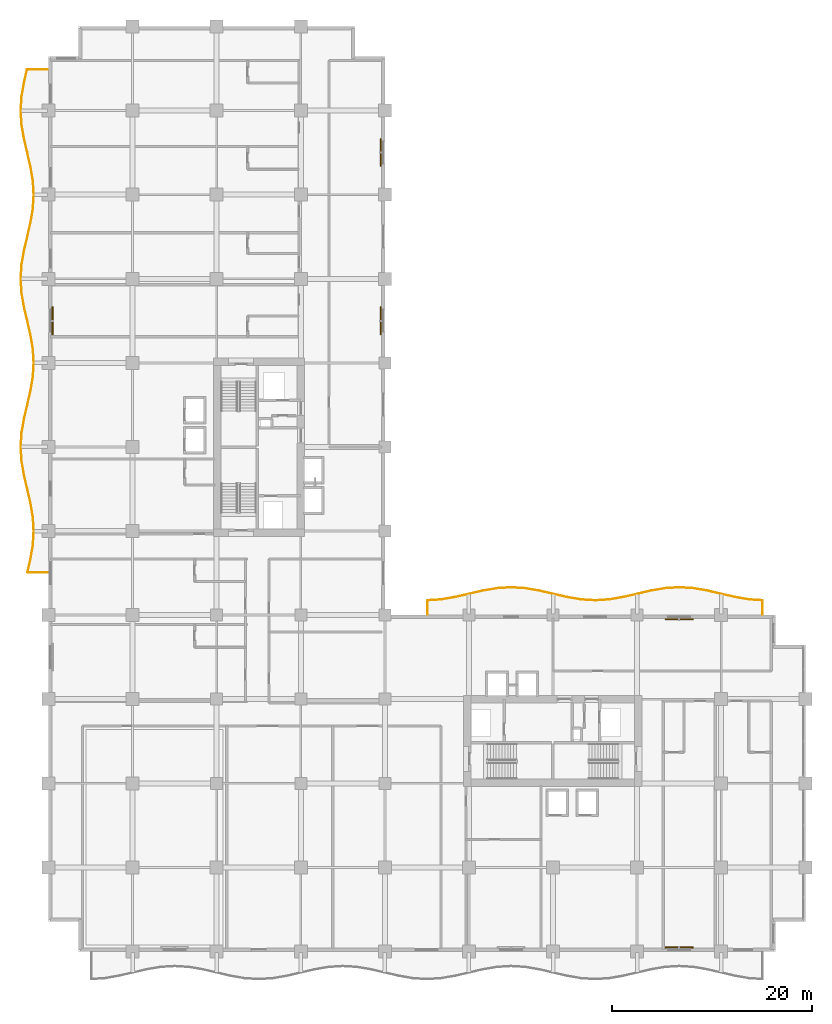
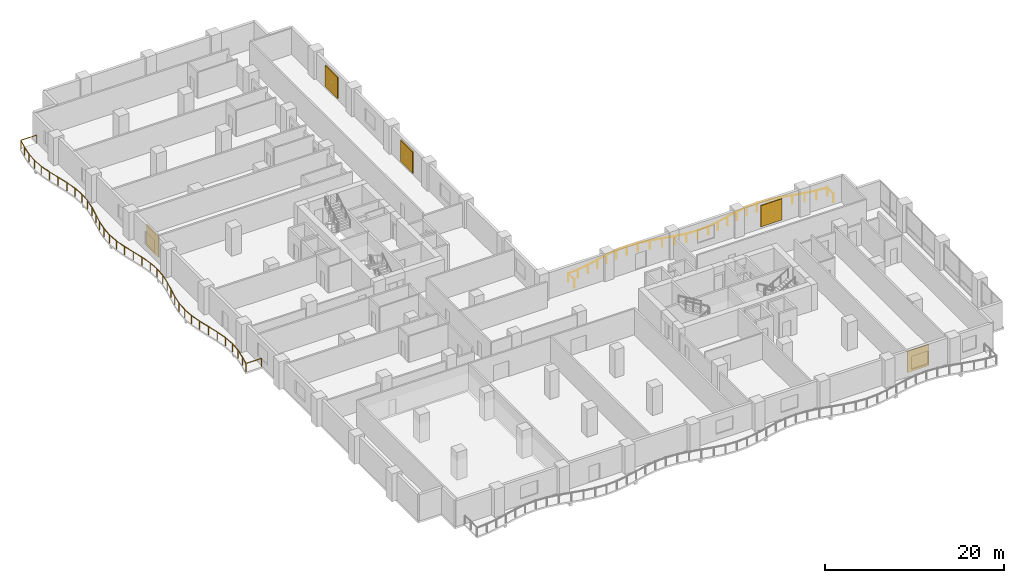
# One storey, part 24 of 24: 5 shading devices, 2 railings.
"""IFC4 building model written with IfcOpenShell, lengths in metres."""

from ifc_helpers import new_model, si_unit, direction, frame, origin, origin_2d, place, context, subcontext, project, spatial, rectangle, circle, extrude, material, layer, layer_set, type_object, element, save


model = new_model("IFC4")

# Units and contexts
model_context = context("Model", 3, precision=1e-05, world=origin(), true_north=direction((0.0, 1.0)))
body_context = subcontext(model_context, "Body", "Model", "MODEL_VIEW")
ifc_project = project(units=[si_unit("LENGTHUNIT", "METRE"), si_unit("AREAUNIT", "SQUARE_METRE"), si_unit("VOLUMEUNIT", "CUBIC_METRE"), si_unit("PLANEANGLEUNIT", "RADIAN"), si_unit("MASSUNIT", "GRAM", prefix="KILO")], contexts=[model_context])

# Site, building, storey
site_placement = place(None, origin())
site = spatial("IfcSite", under=ifc_project, at=site_placement, CompositionType="ELEMENT")
building_placement = place(site_placement, origin())
building = spatial("IfcBuilding", under=site, at=building_placement, Name="Koriwani Terraces Tower", CompositionType="ELEMENT")
storey_placement = place(building_placement, frame((0.0, 0.0, 149.39990234375)))
storey = spatial("IfcBuildingStorey", under=building, at=storey_placement, Name="L36", CompositionType="ELEMENT", Elevation=149.39990234375)

# Railings
ifc_material_1 = material(Name="Steel ASTM A572 Grade 50", Category="steel")
railing_type = type_object("IfcRailingType", Name="GUARD_BALUSTRADE_1150", PredefinedType="BALUSTRADE", material=ifc_material_1)
railing_1_placement = place(storey_placement, frame((-0.080078125, 37.8798828125, 0.0)))
element("IfcRailing", 1, at=railing_1_placement, inside=storey, type_object=railing_type, Name="L36 Balcony Perimeter Safety Balustrade (W)", PredefinedType="BALUSTRADE", context=body_context, shape_type="SweptSolid", body=[
    extrude(circle(Radius=0.02392578125, at=origin_2d()), frame((0.0, 0.0, 1.1259765625), z_axis=(-1.0, 0.0, 0.0), x_axis=(0.0, -1.0, 0.0)), (0.0, 0.0, 1.0), 2.019287109375),
    extrude(circle(Radius=0.02392578125, at=origin_2d()), frame((-2.019287109375, 0.0, 1.1259765625), z_axis=(0.226071012836, 0.974110823857, 0.0), x_axis=(-0.974110823857, 0.226071012836, 0.0)), (0.0, 0.0, 1.0), 1.339111328125),
    extrude(circle(Radius=0.02392578125, at=origin_2d()), frame((-1.716552734375, 1.304443359375, 1.1259765625), z_axis=(0.167533954852, 0.985866306337, 0.0), x_axis=(-0.985866306337, 0.167533954852, 0.0)), (0.0, 0.0, 1.0), 1.4267578125),
    extrude(circle(Radius=0.02392578125, at=origin_2d()), frame((-1.4775390625, 2.7109375, 1.1259765625), z_axis=(0.061904605217, 0.9980820707, 0.0), x_axis=(-0.9980820707, 0.061904605217, 0.0)), (0.0, 0.0, 1.0), 1.411865234375),
    extrude(circle(Radius=0.02392578125, at=origin_2d()), frame((-1.39013671875, 4.1201171875, 1.1259765625), z_axis=(-0.061904605217, 0.9980820707, 0.0), x_axis=(-0.9980820707, -0.061904605217, 0.0)), (0.0, 0.0, 1.0), 1.411865234375),
    extrude(circle(Radius=0.02392578125, at=origin_2d()), frame((-1.4775390625, 5.529296875, 1.1259765625), z_axis=(-0.167533954852, 0.985866306337, 0.0), x_axis=(-0.985866306337, -0.167533954852, 0.0)), (0.0, 0.0, 1.0), 1.4267578125),
    extrude(circle(Radius=0.02392578125, at=origin_2d()), frame((-1.716552734375, 6.935791015625, 1.1259765625), z_axis=(-0.226093729043, 0.974105551615, 0.0), x_axis=(-0.974105551615, -0.226093729043, 0.0)), (0.0, 0.0, 1.0), 2.87451171875),
    extrude(circle(Radius=0.02392578125, at=origin_2d()), frame((-2.366455078125, 9.73583984375, 1.1259765625), z_axis=(-0.167535062128, 0.985866118171, 0.0), x_axis=(-0.985866118171, -0.167535062128, 0.0)), (0.0, 0.0, 1.0), 1.41357421875),
    extrude(circle(Radius=0.02392578125, at=origin_2d()), frame((-2.603271484375, 11.12939453125, 1.1259765625), z_axis=(-0.062029198499, 0.998074335174, 0.0), x_axis=(-0.998074335174, -0.062029198499, 0.0)), (0.0, 0.0, 1.0), 1.393310546875),
    extrude(circle(Radius=0.02392578125, at=origin_2d()), frame((-2.689697265625, 12.52001953125, 1.1259765625), z_axis=(0.062018352335, 0.998075009192, 0.0), x_axis=(-0.998075009192, 0.062018352335, 0.0)), (0.0, 0.0, 1.0), 1.3935546875),
    extrude(circle(Radius=0.02392578125, at=origin_2d()), frame((-2.603271484375, 13.910888671875, 1.1259765625), z_axis=(0.167563594016, 0.985861269125, 0.0), x_axis=(-0.985861269125, 0.167563594016, 0.0)), (0.0, 0.0, 1.0), 1.413330078125),
    extrude(circle(Radius=0.02392578125, at=origin_2d()), frame((-2.366455078125, 15.30419921875, 1.1259765625), z_axis=(0.226075024805, 0.974109892753, 0.0), x_axis=(-0.974109892753, 0.226075024805, 0.0)), (0.0, 0.0, 1.0), 2.874755859375),
    extrude(circle(Radius=0.02392578125, at=origin_2d()), frame((-1.716552734375, 18.1044921875, 1.1259765625), z_axis=(0.167533954852, 0.985866306337, 0.0), x_axis=(-0.985866306337, 0.167533954852, 0.0)), (0.0, 0.0, 1.0), 1.4267578125),
    extrude(circle(Radius=0.02392578125, at=origin_2d()), frame((-1.4775390625, 19.510986328125, 1.1259765625), z_axis=(0.061904605217, 0.9980820707, 0.0), x_axis=(-0.9980820707, 0.061904605217, 0.0)), (0.0, 0.0, 1.0), 1.411865234375),
    extrude(circle(Radius=0.02392578125, at=origin_2d()), frame((-1.39013671875, 20.920166015625, 1.1259765625), z_axis=(-0.061904605217, 0.9980820707, 0.0), x_axis=(-0.9980820707, -0.061904605217, 0.0)), (0.0, 0.0, 1.0), 1.411865234375),
    extrude(circle(Radius=0.02392578125, at=origin_2d()), frame((-1.4775390625, 22.329345703125, 1.1259765625), z_axis=(-0.167533954852, 0.985866306337, 0.0), x_axis=(-0.985866306337, -0.167533954852, 0.0)), (0.0, 0.0, 1.0), 1.4267578125),
    extrude(circle(Radius=0.02392578125, at=origin_2d()), frame((-1.716552734375, 23.73583984375, 1.1259765625), z_axis=(-0.226093729043, 0.974105551615, 0.0), x_axis=(-0.974105551615, -0.226093729043, 0.0)), (0.0, 0.0, 1.0), 2.87451171875),
    extrude(circle(Radius=0.02392578125, at=origin_2d()), frame((-2.366455078125, 26.535888671875, 1.1259765625), z_axis=(-0.167563594016, 0.985861269125, 0.0), x_axis=(-0.985861269125, -0.167563594016, 0.0)), (0.0, 0.0, 1.0), 1.413330078125),
    extrude(circle(Radius=0.02392578125, at=origin_2d()), frame((-2.603271484375, 27.92919921875, 1.1259765625), z_axis=(-0.062018352335, 0.998075009192, 0.0), x_axis=(-0.998075009192, -0.062018352335, 0.0)), (0.0, 0.0, 1.0), 1.3935546875),
    extrude(circle(Radius=0.02392578125, at=origin_2d()), frame((-2.689697265625, 29.320068359375, 1.1259765625), z_axis=(0.062018352335, 0.998075009192, 0.0), x_axis=(-0.998075009192, 0.062018352335, 0.0)), (0.0, 0.0, 1.0), 1.3935546875),
    extrude(circle(Radius=0.02392578125, at=origin_2d()), frame((-2.603271484375, 30.7109375, 1.1259765625), z_axis=(0.167563594016, 0.985861269125, 0.0), x_axis=(-0.985861269125, 0.167563594016, 0.0)), (0.0, 0.0, 1.0), 1.413330078125),
    extrude(circle(Radius=0.02392578125, at=origin_2d()), frame((-2.366455078125, 32.104248046875, 1.1259765625), z_axis=(0.226093729043, 0.974105551615, 0.0), x_axis=(-0.974105551615, 0.226093729043, 0.0)), (0.0, 0.0, 1.0), 2.87451171875),
    extrude(circle(Radius=0.02392578125, at=origin_2d()), frame((-1.716552734375, 34.904296875, 1.1259765625), z_axis=(0.16750569507, 0.985871108269, 0.0), x_axis=(-0.985871108269, 0.16750569507, 0.0)), (0.0, 0.0, 1.0), 1.427001953125),
    extrude(circle(Radius=0.02392578125, at=origin_2d()), frame((-1.4775390625, 36.31103515625, 1.1259765625), z_axis=(0.061904605217, 0.9980820707, 0.0), x_axis=(-0.9980820707, 0.061904605217, 0.0)), (0.0, 0.0, 1.0), 1.411865234375),
    extrude(circle(Radius=0.02392578125, at=origin_2d()), frame((-1.39013671875, 37.72021484375, 1.1259765625), z_axis=(-0.061904605217, 0.9980820707, 0.0), x_axis=(-0.9980820707, -0.061904605217, 0.0)), (0.0, 0.0, 1.0), 1.411865234375),
    extrude(circle(Radius=0.02392578125, at=origin_2d()), frame((-1.4775390625, 39.12939453125, 1.1259765625), z_axis=(-0.167533954852, 0.985866306337, 0.0), x_axis=(-0.985866306337, -0.167533954852, 0.0)), (0.0, 0.0, 1.0), 1.4267578125),
    extrude(circle(Radius=0.02392578125, at=origin_2d()), frame((-1.716552734375, 40.535888671875, 1.1259765625), z_axis=(-0.226093729043, 0.974105551615, 0.0), x_axis=(-0.974105551615, -0.226093729043, 0.0)), (0.0, 0.0, 1.0), 2.87451171875),
    extrude(circle(Radius=0.02392578125, at=origin_2d()), frame((-2.366455078125, 43.3359375, 1.1259765625), z_axis=(-0.167563594016, 0.985861269125, 0.0), x_axis=(-0.985861269125, -0.167563594016, 0.0)), (0.0, 0.0, 1.0), 1.413330078125),
    extrude(circle(Radius=0.02392578125, at=origin_2d()), frame((-2.603271484375, 44.729248046875, 1.1259765625), z_axis=(-0.062018352335, 0.998075009192, 0.0), x_axis=(-0.998075009192, -0.062018352335, 0.0)), (0.0, 0.0, 1.0), 1.3935546875),
    extrude(circle(Radius=0.02392578125, at=origin_2d()), frame((-2.689697265625, 46.1201171875, 1.1259765625), z_axis=(0.062018352335, 0.998075009192, 0.0), x_axis=(-0.998075009192, 0.062018352335, 0.0)), (0.0, 0.0, 1.0), 1.3935546875),
    extrude(circle(Radius=0.02392578125, at=origin_2d()), frame((-2.603271484375, 47.510986328125, 1.1259765625), z_axis=(0.167563594016, 0.985861269125, 0.0), x_axis=(-0.985861269125, 0.167563594016, 0.0)), (0.0, 0.0, 1.0), 1.413330078125),
    extrude(circle(Radius=0.02392578125, at=origin_2d()), frame((-2.366455078125, 48.904296875, 1.1259765625), z_axis=(0.226081445763, 0.974108402531, 0.0), x_axis=(-0.974108402531, 0.226081445763, 0.0)), (0.0, 0.0, 1.0), 1.371337890625),
    extrude(circle(Radius=0.02392578125, at=origin_2d()), frame((-2.056396484375, 50.240234375, 1.1259765625), z_axis=(1.0, 0.0, 0.0), x_axis=(0.0, 1.0, 0.0)), (0.0, 0.0, 1.0), 2.056396484375),
    extrude(circle(Radius=0.02099609375, at=origin_2d()), origin(), (0.0, 0.0, 1.0), 1.101806640625),
    extrude(circle(Radius=0.02099609375, at=origin_2d()), frame((-2.019287109375, 0.0, 0.0)), (0.0, 0.0, 1.0), 1.101806640625),
    extrude(circle(Radius=0.02099609375, at=origin_2d()), frame((-1.716552734375, 1.304443359375, 0.0)), (0.0, 0.0, 1.0), 1.101806640625),
    extrude(circle(Radius=0.02099609375, at=origin_2d()), frame((-1.4775390625, 2.7109375, 0.0)), (0.0, 0.0, 1.0), 1.101806640625),
    extrude(circle(Radius=0.02099609375, at=origin_2d()), frame((-1.39013671875, 4.1201171875, 0.0)), (0.0, 0.0, 1.0), 1.101806640625),
    extrude(circle(Radius=0.02099609375, at=origin_2d()), frame((-1.4775390625, 5.529296875, 0.0)), (0.0, 0.0, 1.0), 1.101806640625),
    extrude(circle(Radius=0.02099609375, at=origin_2d()), frame((-1.716552734375, 6.935791015625, 0.0)), (0.0, 0.0, 1.0), 1.101806640625),
    extrude(circle(Radius=0.02099609375, at=origin_2d()), frame((-2.04150390625, 8.3359375, 0.0)), (0.0, 0.0, 1.0), 1.101806640625),
    extrude(circle(Radius=0.02099609375, at=origin_2d()), frame((-2.366455078125, 9.73583984375, 0.0)), (0.0, 0.0, 1.0), 1.101806640625),
    extrude(circle(Radius=0.02099609375, at=origin_2d()), frame((-2.603271484375, 11.12939453125, 0.0)), (0.0, 0.0, 1.0), 1.101806640625),
    extrude(circle(Radius=0.02099609375, at=origin_2d()), frame((-2.689697265625, 12.52001953125, 0.0)), (0.0, 0.0, 1.0), 1.101806640625),
    extrude(circle(Radius=0.02099609375, at=origin_2d()), frame((-2.603271484375, 13.910888671875, 0.0)), (0.0, 0.0, 1.0), 1.101806640625),
    extrude(circle(Radius=0.02099609375, at=origin_2d()), frame((-2.366455078125, 15.30419921875, 0.0)), (0.0, 0.0, 1.0), 1.101806640625),
    extrude(circle(Radius=0.02099609375, at=origin_2d()), frame((-2.04150390625, 16.704345703125, 0.0)), (0.0, 0.0, 1.0), 1.101806640625),
    extrude(circle(Radius=0.02099609375, at=origin_2d()), frame((-1.716552734375, 18.1044921875, 0.0)), (0.0, 0.0, 1.0), 1.101806640625),
    extrude(circle(Radius=0.02099609375, at=origin_2d()), frame((-1.4775390625, 19.510986328125, 0.0)), (0.0, 0.0, 1.0), 1.101806640625),
    extrude(circle(Radius=0.02099609375, at=origin_2d()), frame((-1.39013671875, 20.920166015625, 0.0)), (0.0, 0.0, 1.0), 1.101806640625),
    extrude(circle(Radius=0.02099609375, at=origin_2d()), frame((-1.4775390625, 22.329345703125, 0.0)), (0.0, 0.0, 1.0), 1.101806640625),
    extrude(circle(Radius=0.02099609375, at=origin_2d()), frame((-1.716552734375, 23.73583984375, 0.0)), (0.0, 0.0, 1.0), 1.101806640625),
    extrude(circle(Radius=0.02099609375, at=origin_2d()), frame((-2.04150390625, 25.1357421875, 0.0)), (0.0, 0.0, 1.0), 1.101806640625),
    extrude(circle(Radius=0.02099609375, at=origin_2d()), frame((-2.366455078125, 26.535888671875, 0.0)), (0.0, 0.0, 1.0), 1.101806640625),
    extrude(circle(Radius=0.02099609375, at=origin_2d()), frame((-2.603271484375, 27.92919921875, 0.0)), (0.0, 0.0, 1.0), 1.101806640625),
    extrude(circle(Radius=0.02099609375, at=origin_2d()), frame((-2.689697265625, 29.320068359375, 0.0)), (0.0, 0.0, 1.0), 1.101806640625),
    extrude(circle(Radius=0.02099609375, at=origin_2d()), frame((-2.603271484375, 30.7109375, 0.0)), (0.0, 0.0, 1.0), 1.101806640625),
    extrude(circle(Radius=0.02099609375, at=origin_2d()), frame((-2.366455078125, 32.104248046875, 0.0)), (0.0, 0.0, 1.0), 1.101806640625),
    extrude(circle(Radius=0.02099609375, at=origin_2d()), frame((-2.04150390625, 33.50439453125, 0.0)), (0.0, 0.0, 1.0), 1.101806640625),
    extrude(circle(Radius=0.02099609375, at=origin_2d()), frame((-1.716552734375, 34.904296875, 0.0)), (0.0, 0.0, 1.0), 1.101806640625),
    extrude(circle(Radius=0.02099609375, at=origin_2d()), frame((-1.4775390625, 36.31103515625, 0.0)), (0.0, 0.0, 1.0), 1.101806640625),
    extrude(circle(Radius=0.02099609375, at=origin_2d()), frame((-1.39013671875, 37.72021484375, 0.0)), (0.0, 0.0, 1.0), 1.101806640625),
    extrude(circle(Radius=0.02099609375, at=origin_2d()), frame((-1.4775390625, 39.12939453125, 0.0)), (0.0, 0.0, 1.0), 1.101806640625),
    extrude(circle(Radius=0.02099609375, at=origin_2d()), frame((-1.716552734375, 40.535888671875, 0.0)), (0.0, 0.0, 1.0), 1.101806640625),
    extrude(circle(Radius=0.02099609375, at=origin_2d()), frame((-2.04150390625, 41.93603515625, 0.0)), (0.0, 0.0, 1.0), 1.101806640625),
    extrude(circle(Radius=0.02099609375, at=origin_2d()), frame((-2.366455078125, 43.3359375, 0.0)), (0.0, 0.0, 1.0), 1.101806640625),
    extrude(circle(Radius=0.02099609375, at=origin_2d()), frame((-2.603271484375, 44.729248046875, 0.0)), (0.0, 0.0, 1.0), 1.101806640625),
    extrude(circle(Radius=0.02099609375, at=origin_2d()), frame((-2.689697265625, 46.1201171875, 0.0)), (0.0, 0.0, 1.0), 1.101806640625),
    extrude(circle(Radius=0.02099609375, at=origin_2d()), frame((-2.603271484375, 47.510986328125, 0.0)), (0.0, 0.0, 1.0), 1.101806640625),
    extrude(circle(Radius=0.02099609375, at=origin_2d()), frame((-2.366455078125, 48.904296875, 0.0)), (0.0, 0.0, 1.0), 1.101806640625),
    extrude(circle(Radius=0.02099609375, at=origin_2d()), frame((-2.056396484375, 50.240234375, 0.0)), (0.0, 0.0, 1.0), 1.101806640625),
    extrude(circle(Radius=0.02099609375, at=origin_2d()), frame((0.0, 50.240234375, 0.0)), (0.0, 0.0, 1.0), 1.101806640625),
])
railing_2_placement = place(storey_placement, frame((71.320068359375, 33.679931640625, 0.0)))
element("IfcRailing", 2, at=railing_2_placement, inside=storey, type_object=railing_type, Name="L36 Balcony Perimeter Safety Balustrade (NE)", PredefinedType="BALUSTRADE", context=body_context, shape_type="SweptSolid", body=[
    extrude(circle(Radius=0.02392578125, at=origin_2d()), frame((0.0, 0.0, 1.1259765625), z_axis=(0.0, 1.0, 0.0), x_axis=(-1.0, 0.0, 0.0)), (0.0, 0.0, 1.0), 1.394775390625),
    extrude(circle(Radius=0.02392578125, at=origin_2d()), frame((0.0, 1.394775390625, 1.1259765625), z_axis=(-0.998056142956, 0.062321228394, 0.0), x_axis=(-0.062321228394, -0.998056142956, 0.0)), (0.0, 0.0, 1.0), 1.33203125),
    extrude(circle(Radius=0.02392578125, at=origin_2d()), frame((-1.329345703125, 1.477783203125, 1.1259765625), z_axis=(-0.985894557597, 0.167367623213, 0.0), x_axis=(-0.167367623213, -0.985894557597, 0.0)), (0.0, 0.0, 1.0), 1.426513671875),
    extrude(circle(Radius=0.02392578125, at=origin_2d()), frame((-2.73583984375, 1.716552734375, 1.1259765625), z_axis=(-0.974105551615, 0.226093729043, 0.0), x_axis=(-0.226093729043, -0.974105551615, 0.0)), (0.0, 0.0, 1.0), 2.87451171875),
    extrude(circle(Radius=0.02392578125, at=origin_2d()), frame((-5.535888671875, 2.366455078125, 1.1259765625), z_axis=(-0.985861269125, 0.167563594016, 0.0), x_axis=(-0.167563594016, -0.985861269125, 0.0)), (0.0, 0.0, 1.0), 1.413330078125),
    extrude(circle(Radius=0.02392578125, at=origin_2d()), frame((-6.92919921875, 2.603271484375, 1.1259765625), z_axis=(-0.998064149781, 0.062192868733, 0.0), x_axis=(-0.062192868733, -0.998064149781, 0.0)), (0.0, 0.0, 1.0), 1.3935546875),
    extrude(circle(Radius=0.02392578125, at=origin_2d()), frame((-8.320068359375, 2.68994140625, 1.1259765625), z_axis=(-0.998064149781, -0.062192868733, 0.0), x_axis=(0.062192868733, -0.998064149781, 0.0)), (0.0, 0.0, 1.0), 1.3935546875),
    extrude(circle(Radius=0.02392578125, at=origin_2d()), frame((-9.7109375, 2.603271484375, 1.1259765625), z_axis=(-0.985861269125, -0.167563594016, 0.0), x_axis=(0.167563594016, -0.985861269125, 0.0)), (0.0, 0.0, 1.0), 1.413330078125),
    extrude(circle(Radius=0.02392578125, at=origin_2d()), frame((-11.104248046875, 2.366455078125, 1.1259765625), z_axis=(-0.974105551615, -0.226093729043, 0.0), x_axis=(0.226093729043, -0.974105551615, 0.0)), (0.0, 0.0, 1.0), 2.87451171875),
    extrude(circle(Radius=0.02392578125, at=origin_2d()), frame((-13.904296875, 1.716552734375, 1.1259765625), z_axis=(-0.985894557597, -0.167367623213, 0.0), x_axis=(0.167367623213, -0.985894557597, 0.0)), (0.0, 0.0, 1.0), 1.426513671875),
    extrude(circle(Radius=0.02392578125, at=origin_2d()), frame((-15.310791015625, 1.477783203125, 1.1259765625), z_axis=(-0.9980820707, -0.061904605217, 0.0), x_axis=(0.061904605217, -0.9980820707, 0.0)), (0.0, 0.0, 1.0), 1.411865234375),
    extrude(circle(Radius=0.02392578125, at=origin_2d()), frame((-16.719970703125, 1.390380859375, 1.1259765625), z_axis=(-0.9980820707, 0.061904605217, 0.0), x_axis=(-0.061904605217, -0.9980820707, 0.0)), (0.0, 0.0, 1.0), 1.411865234375),
    extrude(circle(Radius=0.02392578125, at=origin_2d()), frame((-18.129150390625, 1.477783203125, 1.1259765625), z_axis=(-0.985899350136, 0.16733938987, 0.0), x_axis=(-0.16733938987, -0.985899350136, 0.0)), (0.0, 0.0, 1.0), 1.4267578125),
    extrude(circle(Radius=0.02392578125, at=origin_2d()), frame((-19.535888671875, 1.716552734375, 1.1259765625), z_axis=(-0.974105551615, 0.226093729043, 0.0), x_axis=(-0.226093729043, -0.974105551615, 0.0)), (0.0, 0.0, 1.0), 2.87451171875),
    extrude(circle(Radius=0.02392578125, at=origin_2d()), frame((-22.3359375, 2.366455078125, 1.1259765625), z_axis=(-0.985861269125, 0.167563594016, 0.0), x_axis=(-0.167563594016, -0.985861269125, 0.0)), (0.0, 0.0, 1.0), 1.413330078125),
    extrude(circle(Radius=0.02392578125, at=origin_2d()), frame((-23.729248046875, 2.603271484375, 1.1259765625), z_axis=(-0.998064149781, 0.062192868733, 0.0), x_axis=(-0.062192868733, -0.998064149781, 0.0)), (0.0, 0.0, 1.0), 1.3935546875),
    extrude(circle(Radius=0.02392578125, at=origin_2d()), frame((-25.1201171875, 2.68994140625, 1.1259765625), z_axis=(-0.998064149781, -0.062192868733, 0.0), x_axis=(0.062192868733, -0.998064149781, 0.0)), (0.0, 0.0, 1.0), 1.3935546875),
    extrude(circle(Radius=0.02392578125, at=origin_2d()), frame((-26.510986328125, 2.603271484375, 1.1259765625), z_axis=(-0.985861269125, -0.167563594016, 0.0), x_axis=(0.167563594016, -0.985861269125, 0.0)), (0.0, 0.0, 1.0), 1.413330078125),
    extrude(circle(Radius=0.02392578125, at=origin_2d()), frame((-27.904296875, 2.366455078125, 1.1259765625), z_axis=(-0.974105551615, -0.226093729043, 0.0), x_axis=(0.226093729043, -0.974105551615, 0.0)), (0.0, 0.0, 1.0), 2.87451171875),
    extrude(circle(Radius=0.02392578125, at=origin_2d()), frame((-30.704345703125, 1.716552734375, 1.1259765625), z_axis=(-0.985894557597, -0.167367623213, 0.0), x_axis=(0.167367623213, -0.985894557597, 0.0)), (0.0, 0.0, 1.0), 1.426513671875),
    extrude(circle(Radius=0.02392578125, at=origin_2d()), frame((-32.11083984375, 1.477783203125, 1.1259765625), z_axis=(-0.998056142956, -0.062321228394, 0.0), x_axis=(0.062321228394, -0.998056142956, 0.0)), (0.0, 0.0, 1.0), 1.33203125),
    extrude(circle(Radius=0.02392578125, at=origin_2d()), frame((-33.440185546875, 1.394775390625, 1.1259765625), z_axis=(0.0, -1.0, 0.0), x_axis=(1.0, 0.0, 0.0)), (0.0, 0.0, 1.0), 1.394775390625),
    extrude(circle(Radius=0.02099609375, at=origin_2d()), origin(), (0.0, 0.0, 1.0), 1.101806640625),
    extrude(circle(Radius=0.02099609375, at=origin_2d()), frame((0.0, 1.394775390625, 0.0)), (0.0, 0.0, 1.0), 1.101806640625),
    extrude(circle(Radius=0.02099609375, at=origin_2d()), frame((-1.329345703125, 1.477783203125, 0.0)), (0.0, 0.0, 1.0), 1.101806640625),
    extrude(circle(Radius=0.02099609375, at=origin_2d()), frame((-2.73583984375, 1.716552734375, 0.0)), (0.0, 0.0, 1.0), 1.101806640625),
    extrude(circle(Radius=0.02099609375, at=origin_2d()), frame((-4.1357421875, 2.04150390625, 0.0)), (0.0, 0.0, 1.0), 1.101806640625),
    extrude(circle(Radius=0.02099609375, at=origin_2d()), frame((-5.535888671875, 2.366455078125, 0.0)), (0.0, 0.0, 1.0), 1.101806640625),
    extrude(circle(Radius=0.02099609375, at=origin_2d()), frame((-6.92919921875, 2.603271484375, 0.0)), (0.0, 0.0, 1.0), 1.101806640625),
    extrude(circle(Radius=0.02099609375, at=origin_2d()), frame((-8.320068359375, 2.68994140625, 0.0)), (0.0, 0.0, 1.0), 1.101806640625),
    extrude(circle(Radius=0.02099609375, at=origin_2d()), frame((-9.7109375, 2.603271484375, 0.0)), (0.0, 0.0, 1.0), 1.101806640625),
    extrude(circle(Radius=0.02099609375, at=origin_2d()), frame((-11.104248046875, 2.366455078125, 0.0)), (0.0, 0.0, 1.0), 1.101806640625),
    extrude(circle(Radius=0.02099609375, at=origin_2d()), frame((-12.50439453125, 2.04150390625, 0.0)), (0.0, 0.0, 1.0), 1.101806640625),
    extrude(circle(Radius=0.02099609375, at=origin_2d()), frame((-13.904296875, 1.716552734375, 0.0)), (0.0, 0.0, 1.0), 1.101806640625),
    extrude(circle(Radius=0.02099609375, at=origin_2d()), frame((-15.310791015625, 1.477783203125, 0.0)), (0.0, 0.0, 1.0), 1.101806640625),
    extrude(circle(Radius=0.02099609375, at=origin_2d()), frame((-16.719970703125, 1.390380859375, 0.0)), (0.0, 0.0, 1.0), 1.101806640625),
    extrude(circle(Radius=0.02099609375, at=origin_2d()), frame((-18.129150390625, 1.477783203125, 0.0)), (0.0, 0.0, 1.0), 1.101806640625),
    extrude(circle(Radius=0.02099609375, at=origin_2d()), frame((-19.535888671875, 1.716552734375, 0.0)), (0.0, 0.0, 1.0), 1.101806640625),
    extrude(circle(Radius=0.02099609375, at=origin_2d()), frame((-20.93603515625, 2.04150390625, 0.0)), (0.0, 0.0, 1.0), 1.101806640625),
    extrude(circle(Radius=0.02099609375, at=origin_2d()), frame((-22.3359375, 2.366455078125, 0.0)), (0.0, 0.0, 1.0), 1.101806640625),
    extrude(circle(Radius=0.02099609375, at=origin_2d()), frame((-23.729248046875, 2.603271484375, 0.0)), (0.0, 0.0, 1.0), 1.101806640625),
    extrude(circle(Radius=0.02099609375, at=origin_2d()), frame((-25.1201171875, 2.68994140625, 0.0)), (0.0, 0.0, 1.0), 1.101806640625),
    extrude(circle(Radius=0.02099609375, at=origin_2d()), frame((-26.510986328125, 2.603271484375, 0.0)), (0.0, 0.0, 1.0), 1.101806640625),
    extrude(circle(Radius=0.02099609375, at=origin_2d()), frame((-27.904296875, 2.366455078125, 0.0)), (0.0, 0.0, 1.0), 1.101806640625),
    extrude(circle(Radius=0.02099609375, at=origin_2d()), frame((-29.30419921875, 2.04150390625, 0.0)), (0.0, 0.0, 1.0), 1.101806640625),
    extrude(circle(Radius=0.02099609375, at=origin_2d()), frame((-30.704345703125, 1.716552734375, 0.0)), (0.0, 0.0, 1.0), 1.101806640625),
    extrude(circle(Radius=0.02099609375, at=origin_2d()), frame((-32.11083984375, 1.477783203125, 0.0)), (0.0, 0.0, 1.0), 1.101806640625),
    extrude(circle(Radius=0.02099609375, at=origin_2d()), frame((-33.440185546875, 1.394775390625, 0.0)), (0.0, 0.0, 1.0), 1.101806640625),
    extrude(circle(Radius=0.02099609375, at=origin_2d()), frame((-33.440185546875, 0.0, 0.0)), (0.0, 0.0, 1.0), 1.101806640625),
])

# Shading devices
ifc_material_2 = material(Name="Extruded Terracotta Clay", Category="masonry")
ifc_layer = layer(ifc_material_2, 0.1201171875, Name="Extruded Terracotta Clay")
ifc_layer_set = layer_set([ifc_layer], Name="Extruded Terracotta Clay")
shading_device_type = type_object("IfcShadingDeviceType", Name="TERRACOTTA_BAGUETTE_SCREEN_2800", PredefinedType="USERDEFINED", material=ifc_layer_set)
for number, where, z_axis, x_axis, name in (
    (3, (0.405029296875, 63.0, 0.3251953125), (0.0, 0.0, 1.0), (0.0, 1.0, 0.0), "L36 Extruded Terracotta Baguette Screen (W-21)"),
    (4, (33.195068359375, 63.0, 0.3251953125), (0.0, 0.0, 1.0), (0.0, -1.0, 0.0), "L36 Extruded Terracotta Baguette Screen (NW_IN-11)"),
    (5, (33.195068359375, 79.800048828125, 0.3251953125), (0.0, 0.0, 1.0), (0.0, -1.0, 0.0), "L36 Extruded Terracotta Baguette Screen (NW_IN-17)"),
    (6, (63.0, 33.195068359375, 0.3251953125), (0.0, 0.0, 1.0), (1.0, 0.0, 0.0), "L36 Extruded Terracotta Baguette Screen (NE-11)"),
    (7, (63.0, 0.405029296875, 0.3251953125), (0.0, 0.0, 1.0), (-1.0, 0.0, 0.0), "L36 Extruded Terracotta Baguette Screen (S-21)"),
):
    element("IfcShadingDevice", number, at=place(storey_placement, frame(where, z_axis=z_axis, x_axis=x_axis)), inside=storey, type_object=shading_device_type, Name=name, ObjectType="BAGUETTE", PredefinedType="USERDEFINED", context=body_context, shape_type="SweptSolid", body=[
        extrude(rectangle(XDim=2.760009765625, YDim=0.1201171875, at=origin_2d()), origin(), (0.0, 0.0, 1.0), 2.89990234375),
    ])

save(model, "model.ifc")
